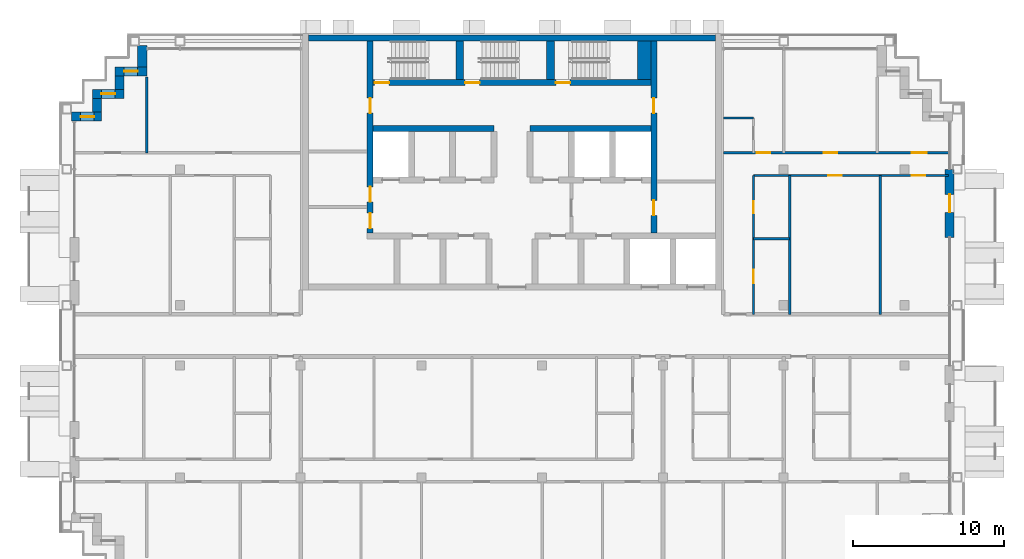
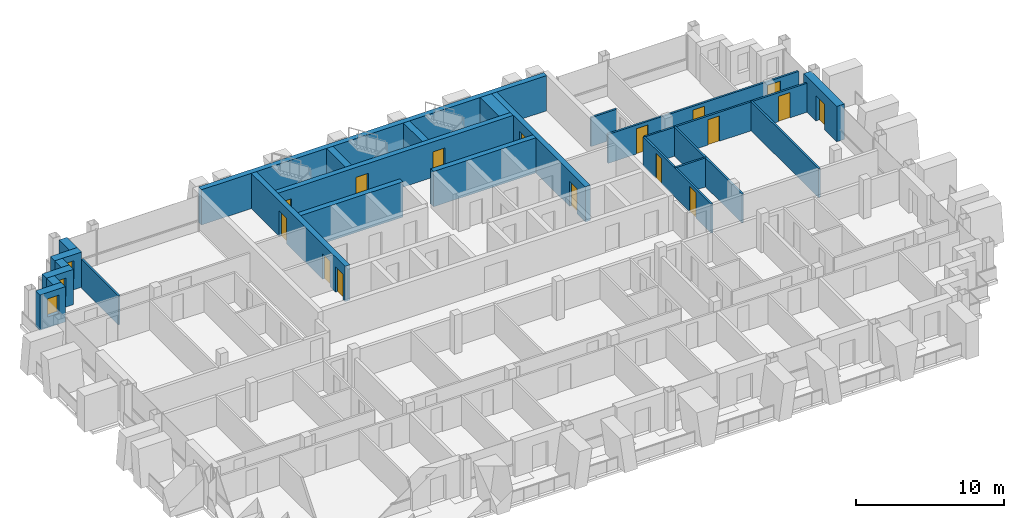
# One storey, part 11 of 16: 24 walls, 16 doors, 3 windows, 19 openings.
"""IFC4 building model written with IfcOpenShell, lengths in metres."""

from ifc_helpers import new_model, si_unit, direction, frame, frame_2d, origin, place, context, subcontext, project, spatial, rectangle, extrude, material, layer, layer_set, type_object, element, fill, save


model = new_model("IFC4")

# Units and contexts
model_context = context("Model", 3, precision=1e-05, world=origin(), true_north=direction((0.0, 1.0)))
body_context = subcontext(model_context, "Body", "Model", "MODEL_VIEW")
ifc_project = project(units=[si_unit("LENGTHUNIT", "METRE"), si_unit("AREAUNIT", "SQUARE_METRE"), si_unit("VOLUMEUNIT", "CUBIC_METRE"), si_unit("PLANEANGLEUNIT", "RADIAN"), si_unit("MASSUNIT", "GRAM", prefix="KILO")], contexts=[model_context])

# Site, building, storey
site_placement = place(None, origin())
site = spatial("IfcSite", under=ifc_project, at=site_placement, CompositionType="ELEMENT")
building_placement = place(site_placement, origin())
building = spatial("IfcBuilding", under=site, at=building_placement, Name="Vidyagriha Tower", CompositionType="ELEMENT")
storey_placement = place(building_placement, frame((0.0, 0.0, 207.60009765625)))
storey = spatial("IfcBuildingStorey", under=building, at=storey_placement, Name="L53", CompositionType="ELEMENT", Elevation=207.60009765625)

# Wall
ifc_material_1 = material(Name="Precast concrete C40/50 with brick facing", Category="concrete")
ifc_layer_1 = layer(ifc_material_1, 0.60009765625)
ifc_layer_set_1 = layer_set([ifc_layer_1], Name="Precast concrete C40/50 with brick facing")
wall_type_1 = type_object("IfcWallType", Name="Brick-faced precast wall 600", PredefinedType="STANDARD", material=ifc_layer_set_1)
wall_1_placement = place(storey_placement, frame((-24.5, 19.199951171875, 0.0), z_axis=(0.0, 0.0, 1.0), x_axis=(0.0, -1.0, 0.0)))
element("IfcWall", 1, at=wall_1_placement, inside=storey, type_object=wall_type_1, Name="Stepped corner wall L53 R10", PredefinedType="STANDARD", context=body_context, shape_type="SweptSolid", body=[
    extrude(rectangle(XDim=1.39990234375, YDim=0.60009765625, at=frame_2d((0.699951171875, 0.0))), origin(), (0.0, 0.0, 1.0), 2.919921875),
])

# Wall, opening, window
wall_2_placement = place(storey_placement, frame((-24.199951171875, 17.5, 0.0), z_axis=(0.0, 0.0, 1.0), x_axis=(-1.0, 0.0, 0.0)))
wall_2 = element("IfcWall", 2, at=wall_2_placement, inside=storey, type_object=wall_type_1, Name="Stepped corner wall L53 R11", PredefinedType="STANDARD", context=body_context, shape_type="SweptSolid", body=[
    extrude(rectangle(XDim=2.10009765625, YDim=0.60009765625, at=frame_2d((1.050048828125, 0.0))), origin(), (0.0, 0.0, 1.0), 2.919921875),
])
opening_1_placement = place(wall_2_placement, frame((0.60009765625, 0.0, 0.89990234375)))
opening_1 = element("IfcOpeningElement", 3, at=opening_1_placement, cuts=wall_2, Name="Opening WN1", PredefinedType="OPENING", context=body_context, shape_type="SweptSolid", body=[
    extrude(rectangle(XDim=0.89990234375, YDim=1.5, at=frame_2d((0.449951171875, 0.75))), frame((0.0, 0.31005859375, 0.0), z_axis=(0.0, -1.0, 0.0), x_axis=(1.0, 0.0, 0.0)), (0.0, 0.0, 1.0), 0.6201171875),
])
ifc_material_2 = material(Name="Aluminium and glass window", Category="aluminium")
window_type = type_object("IfcWindowType", Name="Reveal window 900x1500", PartitioningType="NOTDEFINED", PredefinedType="WINDOW", material=ifc_material_2)
window_1_placement = place(opening_1_placement, origin())
window_1 = element("IfcWindow", 4, at=window_1_placement, inside=storey, type_object=window_type, Name="Reveal window L53 R11", OverallHeight=1.5, OverallWidth=0.89990234375, PartitioningType="SINGLE_PANEL", PredefinedType="WINDOW", context=body_context, shape_type="SweptSolid", body=[
    extrude(rectangle(XDim=0.89990234375, YDim=1.5, at=frame_2d((0.449951171875, 0.75))), frame((0.0, 0.030029296875, 0.0), z_axis=(0.0, -1.0, 0.0), x_axis=(1.0, 0.0, 0.0)), (0.0, 0.0, 1.0), 0.06005859375),
])
fill(opening_1, window_1)

# Wall
wall_3_placement = place(storey_placement, frame((-26.0, 17.199951171875, 0.0), z_axis=(0.0, 0.0, 1.0), x_axis=(0.0, -1.0, 0.0)))
element("IfcWall", 5, at=wall_3_placement, inside=storey, type_object=wall_type_1, Name="Stepped corner wall L53 R12", PredefinedType="STANDARD", context=body_context, shape_type="SweptSolid", body=[
    extrude(rectangle(XDim=0.89990234375, YDim=0.60009765625, at=frame_2d((0.449951171875, 0.0))), origin(), (0.0, 0.0, 1.0), 2.919921875),
])

# Wall, opening, window
wall_4_placement = place(storey_placement, frame((-25.699951171875, 16.0, 0.0), z_axis=(0.0, 0.0, 1.0), x_axis=(-1.0, 0.0, 0.0)))
wall_4 = element("IfcWall", 6, at=wall_4_placement, inside=storey, type_object=wall_type_1, Name="Stepped corner wall L53 R13", PredefinedType="STANDARD", context=body_context, shape_type="SweptSolid", body=[
    extrude(rectangle(XDim=2.10009765625, YDim=0.60009765625, at=frame_2d((1.050048828125, 0.0))), origin(), (0.0, 0.0, 1.0), 2.919921875),
])
opening_2_placement = place(wall_4_placement, frame((0.60009765625, 0.0, 0.89990234375)))
opening_2 = element("IfcOpeningElement", 7, at=opening_2_placement, cuts=wall_4, Name="Opening WN1", PredefinedType="OPENING", context=body_context, shape_type="SweptSolid", body=[
    extrude(rectangle(XDim=0.89990234375, YDim=1.5, at=frame_2d((0.449951171875, 0.75))), frame((0.0, 0.31005859375, 0.0), z_axis=(0.0, -1.0, 0.0), x_axis=(1.0, 0.0, 0.0)), (0.0, 0.0, 1.0), 0.6201171875),
])
window_2_placement = place(opening_2_placement, origin())
window_2 = element("IfcWindow", 8, at=window_2_placement, inside=storey, type_object=window_type, Name="Reveal window L53 R13", OverallHeight=1.5, OverallWidth=0.89990234375, PartitioningType="SINGLE_PANEL", PredefinedType="WINDOW", context=body_context, shape_type="SweptSolid", body=[
    extrude(rectangle(XDim=0.89990234375, YDim=1.5, at=frame_2d((0.449951171875, 0.75))), frame((0.0, 0.030029296875, 0.0), z_axis=(0.0, -1.0, 0.0), x_axis=(1.0, 0.0, 0.0)), (0.0, 0.0, 1.0), 0.06005859375),
])
fill(opening_2, window_2)

# Wall
wall_5_placement = place(storey_placement, frame((-27.5, 15.699951171875, 0.0), z_axis=(0.0, 0.0, 1.0), x_axis=(0.0, -1.0, 0.0)))
element("IfcWall", 9, at=wall_5_placement, inside=storey, type_object=wall_type_1, Name="Stepped corner wall L53 R14", PredefinedType="STANDARD", context=body_context, shape_type="SweptSolid", body=[
    extrude(rectangle(XDim=0.89990234375, YDim=0.60009765625, at=frame_2d((0.449951171875, 0.0))), origin(), (0.0, 0.0, 1.0), 2.919921875),
])

# Wall, opening, window
wall_6_placement = place(storey_placement, frame((-27.199951171875, 14.5, 0.0), z_axis=(0.0, 0.0, 1.0), x_axis=(-1.0, 0.0, 0.0)))
wall_6 = element("IfcWall", 10, at=wall_6_placement, inside=storey, type_object=wall_type_1, Name="Stepped corner wall L53 R15", PredefinedType="STANDARD", context=body_context, shape_type="SweptSolid", body=[
    extrude(rectangle(XDim=2.0, YDim=0.60009765625, at=frame_2d((1.0, 0.0))), origin(), (0.0, 0.0, 1.0), 2.919921875),
])
opening_3_placement = place(wall_6_placement, frame((0.489990234375, 0.0, 0.89990234375)))
opening_3 = element("IfcOpeningElement", 11, at=opening_3_placement, cuts=wall_6, Name="Opening WN1", PredefinedType="OPENING", context=body_context, shape_type="SweptSolid", body=[
    extrude(rectangle(XDim=0.89990234375, YDim=1.5, at=frame_2d((0.449951171875, 0.75))), frame((0.0, 0.31005859375, 0.0), z_axis=(0.0, -1.0, 0.0), x_axis=(1.0, 0.0, 0.0)), (0.0, 0.0, 1.0), 0.6201171875),
])
window_3_placement = place(opening_3_placement, origin())
window_3 = element("IfcWindow", 12, at=window_3_placement, inside=storey, type_object=window_type, Name="Reveal window L53 R15", OverallHeight=1.5, OverallWidth=0.89990234375, PartitioningType="SINGLE_PANEL", PredefinedType="WINDOW", context=body_context, shape_type="SweptSolid", body=[
    extrude(rectangle(XDim=0.89990234375, YDim=1.5, at=frame_2d((0.449951171875, 0.75))), frame((0.0, 0.030029296875, 0.0), z_axis=(0.0, -1.0, 0.0), x_axis=(1.0, 0.0, 0.0)), (0.0, 0.0, 1.0), 0.06005859375),
])
fill(opening_3, window_3)

# Wall, opening, door
wall_7_placement = place(storey_placement, frame((29.0, 6.5, 0.0), z_axis=(0.0, 0.0, 1.0), x_axis=(0.0, 1.0, 0.0)))
wall_7 = element("IfcWall", 13, at=wall_7_placement, inside=storey, type_object=wall_type_1, Name="Brick door bay wall L53 R30.6", PredefinedType="STANDARD", context=body_context, shape_type="SweptSolid", body=[
    extrude(rectangle(XDim=4.5, YDim=0.60009765625, at=frame_2d((2.25, 0.0))), origin(), (0.0, 0.0, 1.0), 2.919921875),
])
opening_4_placement = place(wall_7_placement, frame((1.64990234375, 0.0, 0.0)))
opening_4 = element("IfcOpeningElement", 14, at=opening_4_placement, cuts=wall_7, Name="Opening D53-74", PredefinedType="OPENING", context=body_context, shape_type="SweptSolid", body=[
    extrude(rectangle(XDim=1.199951171875, YDim=2.10009765625, at=frame_2d((0.60009765625, 1.050048828125))), frame((0.0, 0.31005859375, 0.0), z_axis=(0.0, -1.0, 0.0), x_axis=(1.0, 0.0, 0.0)), (0.0, 0.0, 1.0), 0.6201171875),
])
ifc_material_3 = material(Name="Aluminium framed glazed sliding door", Category="aluminium")
door_type_1 = type_object("IfcDoorType", Name="Balcony sliding door 1200x2100", OperationType="NOTDEFINED", PredefinedType="DOOR", material=ifc_material_3)
door_1_placement = place(opening_4_placement, origin())
door_1 = element("IfcDoor", 15, at=door_1_placement, inside=storey, type_object=door_type_1, Name="Door D53-74", OperationType="SLIDING_TO_LEFT", OverallHeight=2.10009765625, OverallWidth=1.199951171875, PredefinedType="DOOR", context=body_context, shape_type="SweptSolid", body=[
    extrude(rectangle(XDim=1.199951171875, YDim=2.10009765625, at=frame_2d((0.60009765625, 1.050048828125))), frame((0.0, 0.02490234375, 0.0), z_axis=(0.0, -1.0, 0.0), x_axis=(1.0, 0.0, 0.0)), (0.0, 0.0, 1.0), 0.050048828125),
])
fill(opening_4, door_1)

# Wall
ifc_material_4 = material(Name="Concrete C60/75", Category="concrete")
ifc_layer_2 = layer(ifc_material_4, 0.39990234375)
ifc_layer_set_2 = layer_set([ifc_layer_2], Name="Concrete C60/75")
wall_type_2 = type_object("IfcWallType", Name="Core shear wall 400 mm", PredefinedType="SHEAR", material=ifc_layer_set_2)
wall_8_placement = place(storey_placement, frame((-13.5, 19.699951171875, 0.0)))
element("IfcWall", 16, at=wall_8_placement, inside=storey, type_object=wall_type_2, Name="Core north wall", PredefinedType="SHEAR", context=body_context, shape_type="SweptSolid", body=[
    extrude(rectangle(XDim=27.0, YDim=0.39990234375, at=frame_2d((13.5, 0.0))), origin(), (0.0, 0.0, 1.0), 2.919921875),
])

# Wall, openings, doors
wall_9_placement = place(storey_placement, frame((-9.39990234375, 6.800048828125, 0.0), z_axis=(0.0, 0.0, 1.0), x_axis=(0.0, 1.0, 0.0)))
wall_9 = element("IfcWall", 17, at=wall_9_placement, inside=storey, type_object=wall_type_2, Name="Core west spine wall", PredefinedType="SHEAR", context=body_context, shape_type="SweptSolid", body=[
    extrude(rectangle(XDim=12.699951171875, YDim=0.39990234375, at=frame_2d((6.35009765625, 0.0))), origin(), (0.0, 0.0, 1.0), 2.919921875),
])
opening_5_placement = place(wall_9_placement, frame((0.300048828125, 0.0, 0.0)))
opening_5 = element("IfcOpeningElement", 18, at=opening_5_placement, cuts=wall_9, Name="Opening D53-13", PredefinedType="OPENING", context=body_context, shape_type="SweptSolid", body=[
    extrude(rectangle(XDim=1.0, YDim=2.10009765625, at=frame_2d((0.5, 1.050048828125))), frame((0.0, 0.2099609375, 0.0), z_axis=(0.0, -1.0, 0.0), x_axis=(1.0, 0.0, 0.0)), (0.0, 0.0, 1.0), 0.419921875),
])
opening_6_placement = place(wall_9_placement, frame((2.050048828125, 0.0, 0.0)))
opening_6 = element("IfcOpeningElement", 19, at=opening_6_placement, cuts=wall_9, Name="Opening D53-14", PredefinedType="OPENING", context=body_context, shape_type="SweptSolid", body=[
    extrude(rectangle(XDim=1.0, YDim=2.10009765625, at=frame_2d((0.5, 1.050048828125))), frame((0.0, 0.2099609375, 0.0), z_axis=(0.0, -1.0, 0.0), x_axis=(1.0, 0.0, 0.0)), (0.0, 0.0, 1.0), 0.419921875),
])
opening_7_placement = place(wall_9_placement, frame((7.925048828125, 0.0, 0.0)))
opening_7 = element("IfcOpeningElement", 20, at=opening_7_placement, cuts=wall_9, Name="Opening D53-15", PredefinedType="OPENING", context=body_context, shape_type="SweptSolid", body=[
    extrude(rectangle(XDim=1.0, YDim=2.10009765625, at=frame_2d((0.5, 1.050048828125))), frame((0.0, 0.2099609375, 0.0), z_axis=(0.0, -1.0, 0.0), x_axis=(1.0, 0.0, 0.0)), (0.0, 0.0, 1.0), 0.419921875),
])
ifc_material_5 = material(Name="Hollow metal door leaf")
door_type_2 = type_object("IfcDoorType", Name="Core room door 1000 x 2100 mm EI 60", OperationType="NOTDEFINED", PredefinedType="DOOR", material=ifc_material_5)
door_2_placement = place(opening_5_placement, frame((1.0, 0.0, 0.0), z_axis=(0.0, 0.0, 1.0), x_axis=(-1.0, 0.0, 0.0)))
door_2 = element("IfcDoor", 21, at=door_2_placement, inside=storey, type_object=door_type_2, Name="Door Communications Room 53.W1", OperationType="SINGLE_SWING_RIGHT", OverallHeight=2.10009765625, OverallWidth=1.0, PredefinedType="DOOR", context=body_context, shape_type="SweptSolid", body=[
    extrude(rectangle(XDim=1.0, YDim=2.10009765625, at=frame_2d((0.5, 1.050048828125))), frame((0.0, 0.02490234375, 0.0), z_axis=(0.0, -1.0, 0.0), x_axis=(1.0, 0.0, 0.0)), (0.0, 0.0, 1.0), 0.050048828125),
])
fill(opening_5, door_2)
door_3_placement = place(opening_6_placement, frame((1.0, 0.0, 0.0), z_axis=(0.0, 0.0, 1.0), x_axis=(-1.0, 0.0, 0.0)))
door_3 = element("IfcDoor", 22, at=door_3_placement, inside=storey, type_object=door_type_2, Name="Door Pressurisation Plant Room 53.W2", OperationType="SINGLE_SWING_LEFT", OverallHeight=2.10009765625, OverallWidth=1.0, PredefinedType="DOOR", context=body_context, shape_type="SweptSolid", body=[
    extrude(rectangle(XDim=1.0, YDim=2.10009765625, at=frame_2d((0.5, 1.050048828125))), frame((0.0, 0.02490234375, 0.0), z_axis=(0.0, -1.0, 0.0), x_axis=(1.0, 0.0, 0.0)), (0.0, 0.0, 1.0), 0.050048828125),
])
fill(opening_6, door_3)
door_4_placement = place(opening_7_placement, frame((1.0, 0.0, 0.0), z_axis=(0.0, 0.0, 1.0), x_axis=(-1.0, 0.0, 0.0)))
door_4 = element("IfcDoor", 23, at=door_4_placement, inside=storey, type_object=door_type_2, Name="Door Switchgear Room 53.W3", OperationType="SINGLE_SWING_LEFT", OverallHeight=2.10009765625, OverallWidth=1.0, PredefinedType="DOOR", context=body_context, shape_type="SweptSolid", body=[
    extrude(rectangle(XDim=1.0, YDim=2.10009765625, at=frame_2d((0.5, 1.050048828125))), frame((0.0, 0.02490234375, 0.0), z_axis=(0.0, -1.0, 0.0), x_axis=(1.0, 0.0, 0.0)), (0.0, 0.0, 1.0), 0.050048828125),
])
fill(opening_7, door_4)

wall_10_placement = place(storey_placement, frame((9.39990234375, 6.800048828125, 0.0), z_axis=(0.0, 0.0, 1.0), x_axis=(0.0, 1.0, 0.0)))
wall_10 = element("IfcWall", 24, at=wall_10_placement, inside=storey, type_object=wall_type_2, Name="Core east spine wall", PredefinedType="SHEAR", context=body_context, shape_type="SweptSolid", body=[
    extrude(rectangle(XDim=12.699951171875, YDim=0.39990234375, at=frame_2d((6.35009765625, 0.0))), origin(), (0.0, 0.0, 1.0), 2.919921875),
])
opening_8_placement = place(wall_10_placement, frame((1.14990234375, 0.0, 0.0)))
opening_8 = element("IfcOpeningElement", 25, at=opening_8_placement, cuts=wall_10, Name="Opening D53-16", PredefinedType="OPENING", context=body_context, shape_type="SweptSolid", body=[
    extrude(rectangle(XDim=1.0, YDim=2.10009765625, at=frame_2d((0.5, 1.050048828125))), frame((0.0, 0.2099609375, 0.0), z_axis=(0.0, -1.0, 0.0), x_axis=(1.0, 0.0, 0.0)), (0.0, 0.0, 1.0), 0.419921875),
])
opening_9_placement = place(wall_10_placement, frame((7.925048828125, 0.0, 0.0)))
opening_9 = element("IfcOpeningElement", 26, at=opening_9_placement, cuts=wall_10, Name="Opening D53-17", PredefinedType="OPENING", context=body_context, shape_type="SweptSolid", body=[
    extrude(rectangle(XDim=1.0, YDim=2.10009765625, at=frame_2d((0.5, 1.050048828125))), frame((0.0, 0.2099609375, 0.0), z_axis=(0.0, -1.0, 0.0), x_axis=(1.0, 0.0, 0.0)), (0.0, 0.0, 1.0), 0.419921875),
])
door_5_placement = place(opening_8_placement, origin())
door_5 = element("IfcDoor", 27, at=door_5_placement, inside=storey, type_object=door_type_2, Name="Door Refuse Room 53.E1", OperationType="SINGLE_SWING_RIGHT", OverallHeight=2.10009765625, OverallWidth=1.0, PredefinedType="DOOR", context=body_context, shape_type="SweptSolid", body=[
    extrude(rectangle(XDim=1.0, YDim=2.10009765625, at=frame_2d((0.5, 1.050048828125))), frame((0.0, 0.02490234375, 0.0), z_axis=(0.0, -1.0, 0.0), x_axis=(1.0, 0.0, 0.0)), (0.0, 0.0, 1.0), 0.050048828125),
])
fill(opening_8, door_5)
door_6_placement = place(opening_9_placement, origin())
door_6 = element("IfcDoor", 28, at=door_6_placement, inside=storey, type_object=door_type_2, Name="Door Switchgear Room 53.E2", OperationType="SINGLE_SWING_LEFT", OverallHeight=2.10009765625, OverallWidth=1.0, PredefinedType="DOOR", context=body_context, shape_type="SweptSolid", body=[
    extrude(rectangle(XDim=1.0, YDim=2.10009765625, at=frame_2d((0.5, 1.050048828125))), frame((0.0, 0.02490234375, 0.0), z_axis=(0.0, -1.0, 0.0), x_axis=(1.0, 0.0, 0.0)), (0.0, 0.0, 1.0), 0.050048828125),
])
fill(opening_9, door_6)

# Walls
for number, where, name in (
    (29, (-9.199951171875, 13.699951171875, 0.0), "Core row N rear wall"),
    (30, (1.199951171875, 13.699951171875, 0.0), "Core row N rear wall"),
):
    element("IfcWall", number, at=place(storey_placement, frame(where)), inside=storey, type_object=wall_type_2, Name=name, PredefinedType="SHEAR", context=body_context, shape_type="SweptSolid", body=[
        extrude(rectangle(XDim=8.0, YDim=0.39990234375, at=frame_2d((4.0, 0.0))), origin(), (0.0, 0.0, 1.0), 2.919921875),
    ])

# Wall, openings, doors
wall_11_placement = place(storey_placement, frame((-9.199951171875, 16.75, 0.0)))
wall_11 = element("IfcWall", 31, at=wall_11_placement, inside=storey, type_object=wall_type_2, Name="Stair front wall", PredefinedType="SHEAR", context=body_context, shape_type="SweptSolid", body=[
    extrude(rectangle(XDim=18.39990234375, YDim=0.39990234375, at=frame_2d((9.199951171875, 0.0))), origin(), (0.0, 0.0, 1.0), 2.919921875),
])
opening_10_placement = place(wall_11_placement, frame((0.10009765625, 0.0, 0.0)))
opening_10 = element("IfcOpeningElement", 32, at=opening_10_placement, cuts=wall_11, Name="Opening D53-10", PredefinedType="OPENING", context=body_context, shape_type="SweptSolid", body=[
    extrude(rectangle(XDim=0.949951171875, YDim=2.10009765625, at=frame_2d((0.47509765625, 1.050048828125))), frame((0.0, 0.2099609375, 0.0), z_axis=(0.0, -1.0, 0.0), x_axis=(1.0, 0.0, 0.0)), (0.0, 0.0, 1.0), 0.419921875),
])
opening_11_placement = place(wall_11_placement, frame((6.10009765625, 0.0, 0.0)))
opening_11 = element("IfcOpeningElement", 33, at=opening_11_placement, cuts=wall_11, Name="Opening D53-11", PredefinedType="OPENING", context=body_context, shape_type="SweptSolid", body=[
    extrude(rectangle(XDim=0.949951171875, YDim=2.10009765625, at=frame_2d((0.47509765625, 1.050048828125))), frame((0.0, 0.2099609375, 0.0), z_axis=(0.0, -1.0, 0.0), x_axis=(1.0, 0.0, 0.0)), (0.0, 0.0, 1.0), 0.419921875),
])
opening_12_placement = place(wall_11_placement, frame((12.10009765625, 0.0, 0.0)))
opening_12 = element("IfcOpeningElement", 34, at=opening_12_placement, cuts=wall_11, Name="Opening D53-12", PredefinedType="OPENING", context=body_context, shape_type="SweptSolid", body=[
    extrude(rectangle(XDim=0.949951171875, YDim=2.10009765625, at=frame_2d((0.47509765625, 1.050048828125))), frame((0.0, 0.2099609375, 0.0), z_axis=(0.0, -1.0, 0.0), x_axis=(1.0, 0.0, 0.0)), (0.0, 0.0, 1.0), 0.419921875),
])
ifc_material_6 = material(Name="Hollow metal door leaf")
door_type_3 = type_object("IfcDoorType", Name="Exit stair door 950 x 2100 mm EI 90", OperationType="NOTDEFINED", PredefinedType="DOOR", material=ifc_material_6)
door_7_placement = place(opening_10_placement, origin())
door_7 = element("IfcDoor", 35, at=door_7_placement, inside=storey, type_object=door_type_3, Name="Stair door ST1 L53", OperationType="SINGLE_SWING_LEFT", OverallHeight=2.10009765625, OverallWidth=0.949951171875, PredefinedType="DOOR", context=body_context, shape_type="SweptSolid", body=[
    extrude(rectangle(XDim=0.949951171875, YDim=2.10009765625, at=frame_2d((0.47509765625, 1.050048828125))), frame((0.0, 0.02490234375, 0.0), z_axis=(0.0, -1.0, 0.0), x_axis=(1.0, 0.0, 0.0)), (0.0, 0.0, 1.0), 0.050048828125),
])
fill(opening_10, door_7)
door_8_placement = place(opening_11_placement, origin())
door_8 = element("IfcDoor", 36, at=door_8_placement, inside=storey, type_object=door_type_3, Name="Stair door ST2 L53", OperationType="SINGLE_SWING_LEFT", OverallHeight=2.10009765625, OverallWidth=0.949951171875, PredefinedType="DOOR", context=body_context, shape_type="SweptSolid", body=[
    extrude(rectangle(XDim=0.949951171875, YDim=2.10009765625, at=frame_2d((0.47509765625, 1.050048828125))), frame((0.0, 0.02490234375, 0.0), z_axis=(0.0, -1.0, 0.0), x_axis=(1.0, 0.0, 0.0)), (0.0, 0.0, 1.0), 0.050048828125),
])
fill(opening_11, door_8)
door_9_placement = place(opening_12_placement, origin())
door_9 = element("IfcDoor", 37, at=door_9_placement, inside=storey, type_object=door_type_3, Name="Stair door ST3 L53", OperationType="SINGLE_SWING_LEFT", OverallHeight=2.10009765625, OverallWidth=0.949951171875, PredefinedType="DOOR", context=body_context, shape_type="SweptSolid", body=[
    extrude(rectangle(XDim=0.949951171875, YDim=2.10009765625, at=frame_2d((0.47509765625, 1.050048828125))), frame((0.0, 0.02490234375, 0.0), z_axis=(0.0, -1.0, 0.0), x_axis=(1.0, 0.0, 0.0)), (0.0, 0.0, 1.0), 0.050048828125),
])
fill(opening_12, door_9)

# Walls
ifc_material_7 = material(Name="Concrete C60/75", Category="concrete")
ifc_layer_3 = layer(ifc_material_7, 0.5)
ifc_layer_set_3 = layer_set([ifc_layer_3], Name="Concrete C60/75")
wall_type_3 = type_object("IfcWallType", Name="Core shear wall 500 mm", PredefinedType="SHEAR", material=ifc_layer_set_3)
for number, where, z_axis, x_axis, name in (
    (38, (-3.449951171875, 16.949951171875, 0.0), (0.0, 0.0, 1.0), (0.0, 1.0, 0.0), "Stair partition wall 1"),
    (39, (2.550048828125, 16.949951171875, 0.0), (0.0, 0.0, 1.0), (0.0, 1.0, 0.0), "Stair partition wall 2"),
):
    element("IfcWall", number, at=place(storey_placement, frame(where, z_axis=z_axis, x_axis=x_axis)), inside=storey, type_object=wall_type_3, Name=name, PredefinedType="SHEAR", context=body_context, shape_type="SweptSolid", body=[
        extrude(rectangle(XDim=2.550048828125, YDim=0.5, at=frame_2d((1.27490234375, 0.0))), origin(), (0.0, 0.0, 1.0), 2.919921875),
    ])
ifc_material_8 = material(Name="Concrete C60/75", Category="concrete")
ifc_layer_4 = layer(ifc_material_8, 0.89990234375)
ifc_layer_set_4 = layer_set([ifc_layer_4], Name="Concrete C60/75")
wall_type_4 = type_object("IfcWallType", Name="Core shear wall 900 mm", PredefinedType="SHEAR", material=ifc_layer_set_4)
wall_12_placement = place(storey_placement, frame((8.75, 16.949951171875, 0.0), z_axis=(0.0, 0.0, 1.0), x_axis=(0.0, 1.0, 0.0)))
element("IfcWall", 40, at=wall_12_placement, inside=storey, type_object=wall_type_4, Name="Stair end wall", PredefinedType="SHEAR", context=body_context, shape_type="SweptSolid", body=[
    extrude(rectangle(XDim=2.550048828125, YDim=0.89990234375, at=frame_2d((1.27490234375, 0.0))), origin(), (0.0, 0.0, 1.0), 2.919921875),
])
ifc_material_9 = material(Name="Gypsum board partition")
ifc_layer_5 = layer(ifc_material_9, 0.14990234375)
ifc_layer_set_5 = layer_set([ifc_layer_5], Name="Gypsum board partition")
wall_type_5 = type_object("IfcWallType", Name="Gypsum board partition 150", PredefinedType="PARTITIONING", material=ifc_layer_set_5)
wall_13_placement = place(storey_placement, frame((-24.199951171875, 17.1201171875, 0.0), z_axis=(0.0, 0.0, 1.0), x_axis=(0.0, -1.0, 0.0)))
element("IfcWall", 41, at=wall_13_placement, inside=storey, type_object=wall_type_5, Name="Wall all-L53-w080", PredefinedType="PARTITIONING", context=body_context, shape_type="SweptSolid", body=[
    extrude(rectangle(XDim=5.02001953125, YDim=0.14990234375, at=frame_2d((2.510009765625, 0.0))), origin(), (0.0, 0.0, 1.0), 2.39990234375),
])
wall_14_placement = place(storey_placement, frame((16.0, 6.39990234375, 0.0)))
element("IfcWall", 42, at=wall_14_placement, inside=storey, type_object=wall_type_5, Name="Wall all-L53-w086", PredefinedType="PARTITIONING", context=body_context, shape_type="SweptSolid", body=[
    extrude(rectangle(XDim=2.39990234375, YDim=0.14990234375, at=frame_2d((1.199951171875, 0.0))), origin(), (0.0, 0.0, 1.0), 2.39990234375),
])
for number, where, z_axis, x_axis, name in (
    (43, (18.39990234375, 10.60009765625, 0.0), (0.0, 0.0, 1.0), (0.0, -1.0, 0.0), "Wall all-L53-w087"),
    (44, (24.39990234375, 10.60009765625, 0.0), (0.0, 0.0, 1.0), (0.0, -1.0, 0.0), "Wall all-L53-w088"),
):
    element("IfcWall", number, at=place(storey_placement, frame(where, z_axis=z_axis, x_axis=x_axis)), inside=storey, type_object=wall_type_5, Name=name, PredefinedType="PARTITIONING", context=body_context, shape_type="SweptSolid", body=[
        extrude(rectangle(XDim=9.2001953125, YDim=0.14990234375, at=frame_2d((4.60009765625, 0.0))), origin(), (0.0, 0.0, 1.0), 2.39990234375),
    ])

# Wall, openings, doors
wall_15_placement = place(storey_placement, frame((28.909912109375, 10.60009765625, 0.0), z_axis=(0.0, 0.0, 1.0), x_axis=(-1.0, 0.0, 0.0)))
wall_15 = element("IfcWall", 45, at=wall_15_placement, inside=storey, type_object=wall_type_5, Name="Wall all-L53-w089", PredefinedType="PARTITIONING", context=body_context, shape_type="SweptSolid", body=[
    extrude(rectangle(XDim=12.909912109375, YDim=0.14990234375, at=frame_2d((6.455078125, 0.0))), origin(), (0.0, 0.0, 1.0), 2.39990234375),
])
opening_13_placement = place(wall_15_placement, frame((7.06005859375, 0.0, 0.0)))
opening_13 = element("IfcOpeningElement", 46, at=opening_13_placement, cuts=wall_15, Name="Opening D53-58", PredefinedType="OPENING", context=body_context, shape_type="SweptSolid", body=[
    extrude(rectangle(XDim=0.89990234375, YDim=2.10009765625, at=frame_2d((0.449951171875, 1.050048828125))), frame((0.0, 0.0849609375, 0.0), z_axis=(0.0, -1.0, 0.0), x_axis=(1.0, 0.0, 0.0)), (0.0, 0.0, 1.0), 0.169921875),
])
opening_14_placement = place(wall_15_placement, frame((1.533935546875, 0.0, 0.0)))
opening_14 = element("IfcOpeningElement", 47, at=opening_14_placement, cuts=wall_15, Name="Opening D53-59", PredefinedType="OPENING", context=body_context, shape_type="SweptSolid", body=[
    extrude(rectangle(XDim=0.89990234375, YDim=2.10009765625, at=frame_2d((0.449951171875, 1.050048828125))), frame((0.0, 0.0849609375, 0.0), z_axis=(0.0, -1.0, 0.0), x_axis=(1.0, 0.0, 0.0)), (0.0, 0.0, 1.0), 0.169921875),
])
ifc_material_10 = material(Name="Timber door leaf", Category="wood")
door_type_4 = type_object("IfcDoorType", Name="Room door 900x2100", OperationType="NOTDEFINED", PredefinedType="DOOR", material=ifc_material_10)
door_10_placement = place(opening_13_placement, origin())
door_10 = element("IfcDoor", 48, at=door_10_placement, inside=storey, type_object=door_type_4, Name="Door D53-58", OperationType="SINGLE_SWING_RIGHT", OverallHeight=2.10009765625, OverallWidth=0.89990234375, PredefinedType="DOOR", context=body_context, shape_type="SweptSolid", body=[
    extrude(rectangle(XDim=0.89990234375, YDim=2.10009765625, at=frame_2d((0.449951171875, 1.050048828125))), frame((0.0, 0.02490234375, 0.0), z_axis=(0.0, -1.0, 0.0), x_axis=(1.0, 0.0, 0.0)), (0.0, 0.0, 1.0), 0.050048828125),
])
fill(opening_13, door_10)
door_11_placement = place(opening_14_placement, origin())
door_11 = element("IfcDoor", 49, at=door_11_placement, inside=storey, type_object=door_type_4, Name="Door D53-59", OperationType="SINGLE_SWING_LEFT", OverallHeight=2.10009765625, OverallWidth=0.89990234375, PredefinedType="DOOR", context=body_context, shape_type="SweptSolid", body=[
    extrude(rectangle(XDim=0.89990234375, YDim=2.10009765625, at=frame_2d((0.449951171875, 1.050048828125))), frame((0.0, 0.02490234375, 0.0), z_axis=(0.0, -1.0, 0.0), x_axis=(1.0, 0.0, 0.0)), (0.0, 0.0, 1.0), 0.050048828125),
])
fill(opening_14, door_11)

wall_16_placement = place(storey_placement, frame((14.0, 12.10009765625, 0.0)))
wall_16 = element("IfcWall", 50, at=wall_16_placement, inside=storey, type_object=wall_type_5, Name="Wall all-L53-w092", PredefinedType="PARTITIONING", context=body_context, shape_type="SweptSolid", body=[
    extrude(rectangle(XDim=14.919921875, YDim=0.14990234375, at=frame_2d((7.4599609375, 0.0))), origin(), (0.0, 0.0, 1.0), 2.39990234375),
])
opening_15_placement = place(wall_16_placement, frame((2.2099609375, 0.0, 0.0)))
opening_15 = element("IfcOpeningElement", 51, at=opening_15_placement, cuts=wall_16, Name="Opening D53-60", PredefinedType="OPENING", context=body_context, shape_type="SweptSolid", body=[
    extrude(rectangle(XDim=0.89990234375, YDim=2.10009765625, at=frame_2d((0.449951171875, 1.050048828125))), frame((0.0, 0.0849609375, 0.0), z_axis=(0.0, -1.0, 0.0), x_axis=(1.0, 0.0, 0.0)), (0.0, 0.0, 1.0), 0.169921875),
])
opening_16_placement = place(wall_16_placement, frame((6.64990234375, 0.0, 0.0)))
opening_16 = element("IfcOpeningElement", 52, at=opening_16_placement, cuts=wall_16, Name="Opening D53-61", PredefinedType="OPENING", context=body_context, shape_type="SweptSolid", body=[
    extrude(rectangle(XDim=0.89990234375, YDim=2.10009765625, at=frame_2d((0.449951171875, 1.050048828125))), frame((0.0, 0.0849609375, 0.0), z_axis=(0.0, -1.0, 0.0), x_axis=(1.0, 0.0, 0.0)), (0.0, 0.0, 1.0), 0.169921875),
])
opening_17_placement = place(wall_16_placement, frame((12.47607421875, 0.0, 0.0)))
opening_17 = element("IfcOpeningElement", 53, at=opening_17_placement, cuts=wall_16, Name="Opening D53-62", PredefinedType="OPENING", context=body_context, shape_type="SweptSolid", body=[
    extrude(rectangle(XDim=1.0, YDim=2.10009765625, at=frame_2d((0.5, 1.050048828125))), frame((0.0, 0.0849609375, 0.0), z_axis=(0.0, -1.0, 0.0), x_axis=(1.0, 0.0, 0.0)), (0.0, 0.0, 1.0), 0.169921875),
])
ifc_material_11 = material(Name="Timber door leaf", Category="wood")
door_type_5 = type_object("IfcDoorType", Name="Room door 1000x2100", OperationType="NOTDEFINED", PredefinedType="DOOR", material=ifc_material_11)
door_12_placement = place(opening_17_placement, origin())
door_12 = element("IfcDoor", 54, at=door_12_placement, inside=storey, type_object=door_type_5, Name="Door D53-62", OperationType="SINGLE_SWING_RIGHT", OverallHeight=2.10009765625, OverallWidth=1.0, PredefinedType="DOOR", context=body_context, shape_type="SweptSolid", body=[
    extrude(rectangle(XDim=1.0, YDim=2.10009765625, at=frame_2d((0.5, 1.050048828125))), frame((0.0, 0.02490234375, 0.0), z_axis=(0.0, -1.0, 0.0), x_axis=(1.0, 0.0, 0.0)), (0.0, 0.0, 1.0), 0.050048828125),
])
fill(opening_17, door_12)
door_13_placement = place(opening_15_placement, origin())
door_13 = element("IfcDoor", 55, at=door_13_placement, inside=storey, type_object=door_type_4, Name="Door D53-60", OperationType="SINGLE_SWING_RIGHT", OverallHeight=2.10009765625, OverallWidth=0.89990234375, PredefinedType="DOOR", context=body_context, shape_type="SweptSolid", body=[
    extrude(rectangle(XDim=0.89990234375, YDim=2.10009765625, at=frame_2d((0.449951171875, 1.050048828125))), frame((0.0, 0.02490234375, 0.0), z_axis=(0.0, -1.0, 0.0), x_axis=(1.0, 0.0, 0.0)), (0.0, 0.0, 1.0), 0.050048828125),
])
fill(opening_15, door_13)
door_14_placement = place(opening_16_placement, origin())
door_14 = element("IfcDoor", 56, at=door_14_placement, inside=storey, type_object=door_type_4, Name="Door D53-61", OperationType="SINGLE_SWING_RIGHT", OverallHeight=2.10009765625, OverallWidth=0.89990234375, PredefinedType="DOOR", context=body_context, shape_type="SweptSolid", body=[
    extrude(rectangle(XDim=0.89990234375, YDim=2.10009765625, at=frame_2d((0.449951171875, 1.050048828125))), frame((0.0, 0.02490234375, 0.0), z_axis=(0.0, -1.0, 0.0), x_axis=(1.0, 0.0, 0.0)), (0.0, 0.0, 1.0), 0.050048828125),
])
fill(opening_16, door_14)

# Wall
wall_17_placement = place(storey_placement, frame((14.0, 14.39990234375, 0.0)))
element("IfcWall", 57, at=wall_17_placement, inside=storey, type_object=wall_type_5, Name="Wall all-L53-w099", PredefinedType="PARTITIONING", context=body_context, shape_type="SweptSolid", body=[
    extrude(rectangle(XDim=2.0, YDim=0.14990234375, at=frame_2d((1.0, 0.0))), origin(), (0.0, 0.0, 1.0), 2.39990234375),
])

# Wall, openings, doors
ifc_material_12 = material(Name="Moisture resistant gypsum board partition")
ifc_layer_6 = layer(ifc_material_12, 0.14990234375)
ifc_layer_set_6 = layer_set([ifc_layer_6], Name="Moisture resistant gypsum board partition")
wall_type_6 = type_object("IfcWallType", Name="Gypsum board wet-area partition 150", PredefinedType="PARTITIONING", material=ifc_layer_set_6)
wall_18_placement = place(storey_placement, frame((16.0, 10.60009765625, 0.0), z_axis=(0.0, 0.0, 1.0), x_axis=(0.0, -1.0, 0.0)))
wall_18 = element("IfcWall", 58, at=wall_18_placement, inside=storey, type_object=wall_type_6, Name="Wall all-L53-w083", PredefinedType="PARTITIONING", context=body_context, shape_type="SweptSolid", body=[
    extrude(rectangle(XDim=9.2001953125, YDim=0.14990234375, at=frame_2d((4.60009765625, 0.0))), origin(), (0.0, 0.0, 1.0), 2.39990234375),
])
opening_18_placement = place(wall_18_placement, frame((6.25, 0.0, 0.0)))
opening_18 = element("IfcOpeningElement", 59, at=opening_18_placement, cuts=wall_18, Name="Opening D53-56", PredefinedType="OPENING", context=body_context, shape_type="SweptSolid", body=[
    extrude(rectangle(XDim=0.89990234375, YDim=2.10009765625, at=frame_2d((0.449951171875, 1.050048828125))), frame((0.0, 0.0849609375, 0.0), z_axis=(0.0, -1.0, 0.0), x_axis=(1.0, 0.0, 0.0)), (0.0, 0.0, 1.0), 0.169921875),
])
opening_19_placement = place(wall_18_placement, frame((1.699951171875, 0.0, 0.0)))
opening_19 = element("IfcOpeningElement", 60, at=opening_19_placement, cuts=wall_18, Name="Opening D53-57", PredefinedType="OPENING", context=body_context, shape_type="SweptSolid", body=[
    extrude(rectangle(XDim=0.800048828125, YDim=2.10009765625, at=frame_2d((0.39990234375, 1.050048828125))), frame((0.0, 0.0849609375, 0.0), z_axis=(0.0, -1.0, 0.0), x_axis=(1.0, 0.0, 0.0)), (0.0, 0.0, 1.0), 0.169921875),
])
ifc_material_13 = material(Name="Timber door leaf", Category="wood")
door_type_6 = type_object("IfcDoorType", Name="Bathroom door 800x2100", OperationType="NOTDEFINED", PredefinedType="DOOR", material=ifc_material_13)
door_15_placement = place(opening_19_placement, origin())
door_15 = element("IfcDoor", 61, at=door_15_placement, inside=storey, type_object=door_type_6, Name="Door D53-57", OperationType="SINGLE_SWING_RIGHT", OverallHeight=2.10009765625, OverallWidth=0.800048828125, PredefinedType="DOOR", context=body_context, shape_type="SweptSolid", body=[
    extrude(rectangle(XDim=0.800048828125, YDim=2.10009765625, at=frame_2d((0.39990234375, 1.050048828125))), frame((0.0, 0.02490234375, 0.0), z_axis=(0.0, -1.0, 0.0), x_axis=(1.0, 0.0, 0.0)), (0.0, 0.0, 1.0), 0.050048828125),
])
fill(opening_19, door_15)
ifc_material_14 = material(Name="Timber door leaf", Category="wood")
door_type_7 = type_object("IfcDoorType", Name="Kitchen door 900x2100", OperationType="NOTDEFINED", PredefinedType="DOOR", material=ifc_material_14)
door_16_placement = place(opening_18_placement, origin())
door_16 = element("IfcDoor", 62, at=door_16_placement, inside=storey, type_object=door_type_7, Name="Door D53-56", OperationType="SINGLE_SWING_LEFT", OverallHeight=2.10009765625, OverallWidth=0.89990234375, PredefinedType="DOOR", context=body_context, shape_type="SweptSolid", body=[
    extrude(rectangle(XDim=0.89990234375, YDim=2.10009765625, at=frame_2d((0.449951171875, 1.050048828125))), frame((0.0, 0.02490234375, 0.0), z_axis=(0.0, -1.0, 0.0), x_axis=(1.0, 0.0, 0.0)), (0.0, 0.0, 1.0), 0.050048828125),
])
fill(opening_18, door_16)

save(model, "model.ifc")
